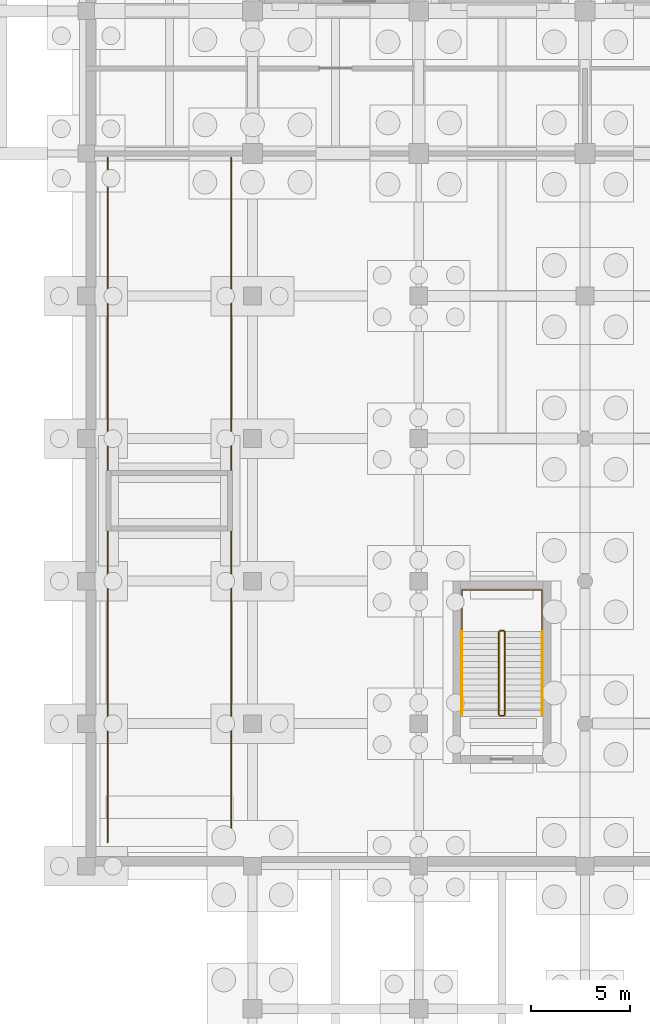
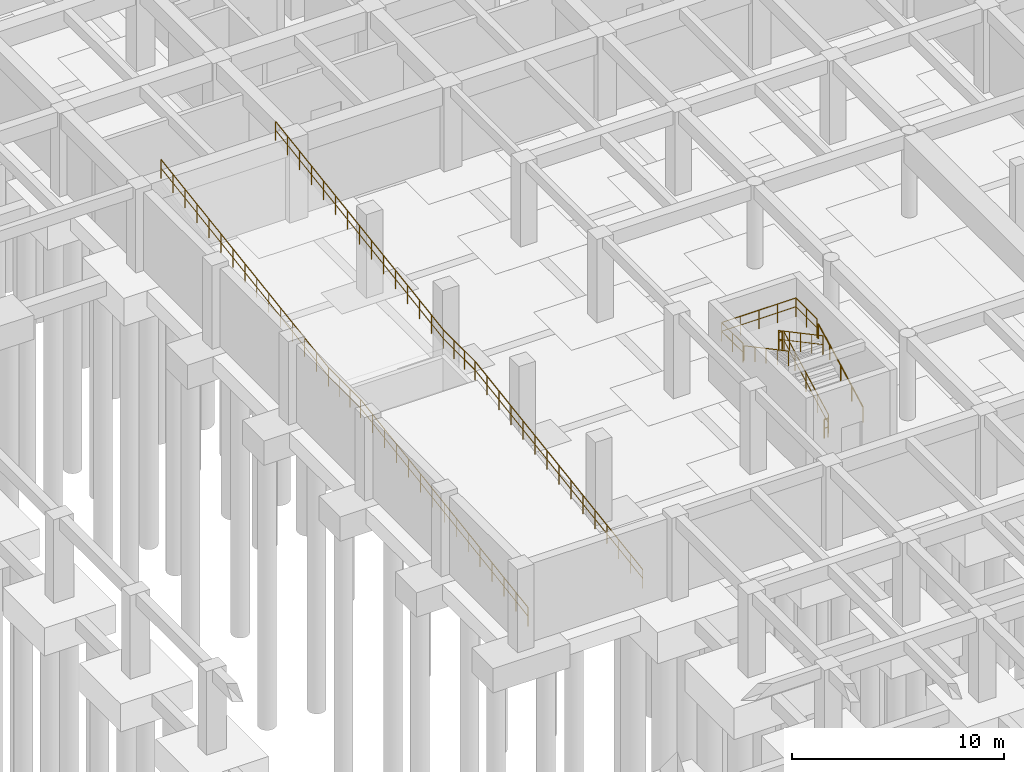
# One storey, part 22 of 26: 9 railings.
"""IFC4 building model written with IfcOpenShell, lengths in metres."""

from ifc_helpers import new_model, si_unit, direction, frame, origin, origin_2d, place, context, subcontext, project, spatial, circle, extrude, material, type_object, element, save


model = new_model("IFC4")

# Units and contexts
model_context = context("Model", 3, precision=1e-05, world=origin(), true_north=direction((0.0, 1.0)))
body_context = subcontext(model_context, "Body", "Model", "MODEL_VIEW")
ifc_project = project(units=[si_unit("LENGTHUNIT", "METRE"), si_unit("AREAUNIT", "SQUARE_METRE"), si_unit("VOLUMEUNIT", "CUBIC_METRE"), si_unit("PLANEANGLEUNIT", "RADIAN"), si_unit("MASSUNIT", "GRAM", prefix="KILO")], contexts=[model_context])

# Site, building, storey
site_placement = place(None, origin())
site = spatial("IfcSite", under=ifc_project, at=site_placement, CompositionType="ELEMENT")
building_placement = place(site_placement, origin())
building = spatial("IfcBuilding", under=site, at=building_placement, Name="Kenerak Square Central Library", CompositionType="ELEMENT")
storey_placement = place(building_placement, frame((0.0, 0.0, -4.800048828125)))
storey = spatial("IfcBuildingStorey", under=building, at=storey_placement, Name="B1", CompositionType="ELEMENT", Elevation=-4.800048828125)

# Railings
ifc_material = material(Name="Steel S355", Category="steel")
railing_type_1 = type_object("IfcRailingType", Name="Safety Guardrail GR-1100 S355", PredefinedType="GUARDRAIL", material=ifc_material)
railing_1_placement = place(storey_placement, frame((71.14990234375, 60.449951171875, 0.16015625)))
element("IfcRailing", 1, at=railing_1_placement, inside=storey, type_object=railing_type_1, Name="B1 ST-08 stair guard 1", PredefinedType="GUARDRAIL", context=body_context, shape_type="SweptSolid", body=[
    extrude(circle(Radius=0.02392578125, at=origin_2d()), frame((0.0, 0.0, 1.076171875), z_axis=(0.0, 0.882351521365, 0.470590897432), x_axis=(-1.0, 0.0, 0.0)), (0.0, 0.0, 1.0), 4.760009765625),
    extrude(circle(Radius=0.01806640625, at=origin_2d()), frame((0.0, 0.0, 0.572021484375), z_axis=(0.0, 0.882351521365, 0.470590897432), x_axis=(-1.0, 0.0, 0.0)), (0.0, 0.0, 1.0), 4.760009765625),
    extrude(circle(Radius=0.02099609375, at=origin_2d()), origin(), (0.0, 0.0, 1.0), 1.052001953125),
    extrude(circle(Radius=0.02099609375, at=origin_2d()), frame((0.0, 1.050048828125, 0.56005859375)), (0.0, 0.0, 1.0), 1.052001953125),
    extrude(circle(Radius=0.02099609375, at=origin_2d()), frame((0.0, 2.10009765625, 1.1201171875)), (0.0, 0.0, 1.0), 1.052001953125),
    extrude(circle(Radius=0.02099609375, at=origin_2d()), frame((0.0, 3.14990234375, 1.679931640625)), (0.0, 0.0, 1.0), 1.052001953125),
    extrude(circle(Radius=0.02099609375, at=origin_2d()), frame((0.0, 4.199951171875, 2.239990234375)), (0.0, 0.0, 1.0), 1.052001953125),
])
railing_2_placement = place(storey_placement, frame((71.10009765625, 64.699951171875, 2.400146484375)))
element("IfcRailing", 2, at=railing_2_placement, inside=storey, type_object=railing_type_1, Name="B1 ST-08 stair guard 2", PredefinedType="GUARDRAIL", context=body_context, shape_type="SweptSolid", body=[
    extrude(circle(Radius=0.02392578125, at=origin_2d()), frame((0.0, 0.0, 1.076171875), z_axis=(-1.0, 0.0, 0.0), x_axis=(0.0, -1.0, 0.0)), (0.0, 0.0, 1.0), 0.2001953125),
    extrude(circle(Radius=0.01806640625, at=origin_2d()), frame((0.0, 0.0, 0.572021484375), z_axis=(-1.0, 0.0, 0.0), x_axis=(0.0, -1.0, 0.0)), (0.0, 0.0, 1.0), 0.2001953125),
    extrude(circle(Radius=0.02099609375, at=origin_2d()), origin(), (0.0, 0.0, 1.0), 1.052001953125),
    extrude(circle(Radius=0.02099609375, at=origin_2d()), frame((-0.2001953125, 0.0, 0.0)), (0.0, 0.0, 1.0), 1.052001953125),
])
railing_3_placement = place(storey_placement, frame((70.85009765625, 64.64990234375, 2.56005859375)))
element("IfcRailing", 3, at=railing_3_placement, inside=storey, type_object=railing_type_1, Name="B1 ST-08 stair guard 3", PredefinedType="GUARDRAIL", context=body_context, shape_type="SweptSolid", body=[
    extrude(circle(Radius=0.02392578125, at=origin_2d()), frame((0.0, 0.0, 1.076171875), z_axis=(0.0, -0.882351521365, 0.470590897432), x_axis=(1.0, 0.0, 0.0)), (0.0, 0.0, 1.0), 4.760009765625),
    extrude(circle(Radius=0.01806640625, at=origin_2d()), frame((0.0, 0.0, 0.572021484375), z_axis=(0.0, -0.882351521365, 0.470590897432), x_axis=(1.0, 0.0, 0.0)), (0.0, 0.0, 1.0), 4.760009765625),
    extrude(circle(Radius=0.02099609375, at=origin_2d()), origin(), (0.0, 0.0, 1.0), 1.052001953125),
    extrude(circle(Radius=0.02099609375, at=origin_2d()), frame((0.0, -1.050048828125, 0.56005859375)), (0.0, 0.0, 1.0), 1.052001953125),
    extrude(circle(Radius=0.02099609375, at=origin_2d()), frame((0.0, -2.10009765625, 1.1201171875)), (0.0, 0.0, 1.0), 1.052001953125),
    extrude(circle(Radius=0.02099609375, at=origin_2d()), frame((0.0, -3.14990234375, 1.679931640625)), (0.0, 0.0, 1.0), 1.052001953125),
    extrude(circle(Radius=0.02099609375, at=origin_2d()), frame((0.0, -4.199951171875, 2.239990234375)), (0.0, 0.0, 1.0), 1.052001953125),
])
railing_4_placement = place(storey_placement, frame((71.10009765625, 60.39990234375, 0.0)))
element("IfcRailing", 4, at=railing_4_placement, inside=storey, type_object=railing_type_1, Name="B1 ST-08 stair guard 4", PredefinedType="GUARDRAIL", context=body_context, shape_type="SweptSolid", body=[
    extrude(circle(Radius=0.02392578125, at=origin_2d()), frame((0.0, 0.0, 1.076171875), z_axis=(-1.0, 0.0, 0.0), x_axis=(0.0, -1.0, 0.0)), (0.0, 0.0, 1.0), 0.2001953125),
    extrude(circle(Radius=0.01806640625, at=origin_2d()), frame((0.0, 0.0, 0.572021484375), z_axis=(-1.0, 0.0, 0.0), x_axis=(0.0, -1.0, 0.0)), (0.0, 0.0, 1.0), 0.2001953125),
    extrude(circle(Radius=0.02099609375, at=origin_2d()), origin(), (0.0, 0.0, 1.0), 1.052001953125),
    extrude(circle(Radius=0.02099609375, at=origin_2d()), frame((-0.2001953125, 0.0, 0.0)), (0.0, 0.0, 1.0), 1.052001953125),
])
railing_5_placement = place(storey_placement, frame((68.97998046875, 64.75, 2.400146484375)))
element("IfcRailing", 5, at=railing_5_placement, inside=storey, type_object=railing_type_1, Name="Stair Half-Landing Guard ST-08 B1", PredefinedType="GUARDRAIL", context=body_context, shape_type="SweptSolid", body=[
    extrude(circle(Radius=0.02392578125, at=origin_2d()), frame((0.0, 0.0, 1.076171875), z_axis=(0.0, 1.0, 0.0), x_axis=(-1.0, 0.0, 0.0)), (0.0, 0.0, 1.0), 2.0),
    extrude(circle(Radius=0.01806640625, at=origin_2d()), frame((0.0, 0.0, 0.572021484375), z_axis=(0.0, 1.0, 0.0), x_axis=(-1.0, 0.0, 0.0)), (0.0, 0.0, 1.0), 2.0),
    extrude(circle(Radius=0.02392578125, at=origin_2d()), frame((0.0, 2.0, 1.076171875), z_axis=(1.0, 0.0, 0.0), x_axis=(0.0, 1.0, 0.0)), (0.0, 0.0, 1.0), 4.0400390625),
    extrude(circle(Radius=0.01806640625, at=origin_2d()), frame((0.0, 2.0, 0.572021484375), z_axis=(1.0, 0.0, 0.0), x_axis=(0.0, 1.0, 0.0)), (0.0, 0.0, 1.0), 4.0400390625),
    extrude(circle(Radius=0.02392578125, at=origin_2d()), frame((4.0400390625, 2.0, 1.076171875), z_axis=(0.0, -1.0, 0.0), x_axis=(1.0, 0.0, 0.0)), (0.0, 0.0, 1.0), 2.0),
    extrude(circle(Radius=0.01806640625, at=origin_2d()), frame((4.0400390625, 2.0, 0.572021484375), z_axis=(0.0, -1.0, 0.0), x_axis=(1.0, 0.0, 0.0)), (0.0, 0.0, 1.0), 2.0),
    extrude(circle(Radius=0.02099609375, at=origin_2d()), origin(), (0.0, 0.0, 1.0), 1.052001953125),
    extrude(circle(Radius=0.02099609375, at=origin_2d()), frame((0.0, 1.0, 0.0)), (0.0, 0.0, 1.0), 1.052001953125),
    extrude(circle(Radius=0.02099609375, at=origin_2d()), frame((0.0, 2.0, 0.0)), (0.0, 0.0, 1.0), 1.052001953125),
    extrude(circle(Radius=0.02099609375, at=origin_2d()), frame((1.010009765625, 2.0, 0.0)), (0.0, 0.0, 1.0), 1.052001953125),
    extrude(circle(Radius=0.02099609375, at=origin_2d()), frame((2.02001953125, 2.0, 0.0)), (0.0, 0.0, 1.0), 1.052001953125),
    extrude(circle(Radius=0.02099609375, at=origin_2d()), frame((3.030029296875, 2.0, 0.0)), (0.0, 0.0, 1.0), 1.052001953125),
    extrude(circle(Radius=0.02099609375, at=origin_2d()), frame((4.0400390625, 2.0, 0.0)), (0.0, 0.0, 1.0), 1.052001953125),
    extrude(circle(Radius=0.02099609375, at=origin_2d()), frame((4.0400390625, 1.0, 0.0)), (0.0, 0.0, 1.0), 1.052001953125),
    extrude(circle(Radius=0.02099609375, at=origin_2d()), frame((4.0400390625, 0.0, 0.0)), (0.0, 0.0, 1.0), 1.052001953125),
])
railing_6_placement = place(storey_placement, frame((51.080078125, 54.0, 0.0)))
element("IfcRailing", 6, at=railing_6_placement, inside=storey, type_object=railing_type_1, Name="Vehicle Ramp Guardrail W", PredefinedType="GUARDRAIL", context=body_context, shape_type="SweptSolid", body=[
    extrude(circle(Radius=0.02392578125, at=origin_2d()), frame((0.0, 0.0, 1.076171875), z_axis=(0.0, 0.9886579727, 0.150184596468), x_axis=(-1.0, 0.0, 0.0)), (0.0, 0.0, 1.0), 15.981201171875),
    extrude(circle(Radius=0.01806640625, at=origin_2d()), frame((0.0, 0.0, 0.572021484375), z_axis=(0.0, 0.9886579727, 0.150184596468), x_axis=(-1.0, 0.0, 0.0)), (0.0, 0.0, 1.0), 15.981201171875),
    extrude(circle(Radius=0.02392578125, at=origin_2d()), frame((0.0, 15.800048828125, 3.47607421875), z_axis=(0.0, 1.0, 0.0), x_axis=(-1.0, 0.0, 0.0)), (0.0, 0.0, 1.0), 3.0),
    extrude(circle(Radius=0.01806640625, at=origin_2d()), frame((0.0, 15.800048828125, 2.97216796875), z_axis=(0.0, 1.0, 0.0), x_axis=(-1.0, 0.0, 0.0)), (0.0, 0.0, 1.0), 3.0),
    extrude(circle(Radius=0.02392578125, at=origin_2d()), frame((0.0, 18.800048828125, 3.47607421875), z_axis=(0.0, 0.988660240886, 0.150169664353), x_axis=(-1.0, 0.0, 0.0)), (0.0, 0.0, 1.0), 15.981201171875),
    extrude(circle(Radius=0.01806640625, at=origin_2d()), frame((0.0, 18.800048828125, 2.97216796875), z_axis=(0.0, 0.988660240886, 0.150169664353), x_axis=(-1.0, 0.0, 0.0)), (0.0, 0.0, 1.0), 15.981201171875),
    extrude(circle(Radius=0.02099609375, at=origin_2d()), origin(), (0.0, 0.0, 1.0), 1.052001953125),
    extrude(circle(Radius=0.02099609375, at=origin_2d()), frame((0.0, 1.128662109375, 0.17138671875)), (0.0, 0.0, 1.0), 1.052001953125),
    extrude(circle(Radius=0.02099609375, at=origin_2d()), frame((0.0, 2.257080078125, 0.3427734375)), (0.0, 0.0, 1.0), 1.052001953125),
    extrude(circle(Radius=0.02099609375, at=origin_2d()), frame((0.0, 3.3857421875, 0.514404296875)), (0.0, 0.0, 1.0), 1.052001953125),
    extrude(circle(Radius=0.02099609375, at=origin_2d()), frame((0.0, 4.514404296875, 0.685791015625)), (0.0, 0.0, 1.0), 1.052001953125),
    extrude(circle(Radius=0.02099609375, at=origin_2d()), frame((0.0, 5.642822265625, 0.857177734375)), (0.0, 0.0, 1.0), 1.052001953125),
    extrude(circle(Radius=0.02099609375, at=origin_2d()), frame((0.0, 6.771484375, 1.028564453125)), (0.0, 0.0, 1.0), 1.052001953125),
    extrude(circle(Radius=0.02099609375, at=origin_2d()), frame((0.0, 7.89990234375, 1.2001953125)), (0.0, 0.0, 1.0), 1.052001953125),
    extrude(circle(Radius=0.02099609375, at=origin_2d()), frame((0.0, 9.028564453125, 1.37158203125)), (0.0, 0.0, 1.0), 1.052001953125),
    extrude(circle(Radius=0.02099609375, at=origin_2d()), frame((0.0, 10.1572265625, 1.54296875)), (0.0, 0.0, 1.0), 1.052001953125),
    extrude(circle(Radius=0.02099609375, at=origin_2d()), frame((0.0, 11.28564453125, 1.71435546875)), (0.0, 0.0, 1.0), 1.052001953125),
    extrude(circle(Radius=0.02099609375, at=origin_2d()), frame((0.0, 12.414306640625, 1.8857421875)), (0.0, 0.0, 1.0), 1.052001953125),
    extrude(circle(Radius=0.02099609375, at=origin_2d()), frame((0.0, 13.54296875, 2.057373046875)), (0.0, 0.0, 1.0), 1.052001953125),
    extrude(circle(Radius=0.02099609375, at=origin_2d()), frame((0.0, 14.67138671875, 2.228759765625)), (0.0, 0.0, 1.0), 1.052001953125),
    extrude(circle(Radius=0.02099609375, at=origin_2d()), frame((0.0, 15.800048828125, 2.400146484375)), (0.0, 0.0, 1.0), 1.052001953125),
    extrude(circle(Radius=0.02099609375, at=origin_2d()), frame((0.0, 16.800048828125, 2.400146484375)), (0.0, 0.0, 1.0), 1.052001953125),
    extrude(circle(Radius=0.02099609375, at=origin_2d()), frame((0.0, 17.800048828125, 2.400146484375)), (0.0, 0.0, 1.0), 1.052001953125),
    extrude(circle(Radius=0.02099609375, at=origin_2d()), frame((0.0, 18.800048828125, 2.400146484375)), (0.0, 0.0, 1.0), 1.052001953125),
    extrude(circle(Radius=0.02099609375, at=origin_2d()), frame((0.0, 19.9287109375, 2.571533203125)), (0.0, 0.0, 1.0), 1.052001953125),
    extrude(circle(Radius=0.02099609375, at=origin_2d()), frame((0.0, 21.05712890625, 2.742919921875)), (0.0, 0.0, 1.0), 1.052001953125),
    extrude(circle(Radius=0.02099609375, at=origin_2d()), frame((0.0, 22.185791015625, 2.914306640625)), (0.0, 0.0, 1.0), 1.052001953125),
    extrude(circle(Radius=0.02099609375, at=origin_2d()), frame((0.0, 23.314453125, 3.0859375)), (0.0, 0.0, 1.0), 1.052001953125),
    extrude(circle(Radius=0.02099609375, at=origin_2d()), frame((0.0, 24.44287109375, 3.25732421875)), (0.0, 0.0, 1.0), 1.052001953125),
    extrude(circle(Radius=0.02099609375, at=origin_2d()), frame((0.0, 25.571533203125, 3.4287109375)), (0.0, 0.0, 1.0), 1.052001953125),
    extrude(circle(Radius=0.02099609375, at=origin_2d()), frame((0.0, 26.7001953125, 3.60009765625)), (0.0, 0.0, 1.0), 1.052001953125),
    extrude(circle(Radius=0.02099609375, at=origin_2d()), frame((0.0, 27.82861328125, 3.771484375)), (0.0, 0.0, 1.0), 1.052001953125),
    extrude(circle(Radius=0.02099609375, at=origin_2d()), frame((0.0, 28.957275390625, 3.94287109375)), (0.0, 0.0, 1.0), 1.052001953125),
    extrude(circle(Radius=0.02099609375, at=origin_2d()), frame((0.0, 30.085693359375, 4.1142578125)), (0.0, 0.0, 1.0), 1.052001953125),
    extrude(circle(Radius=0.02099609375, at=origin_2d()), frame((0.0, 31.21435546875, 4.285888671875)), (0.0, 0.0, 1.0), 1.052001953125),
    extrude(circle(Radius=0.02099609375, at=origin_2d()), frame((0.0, 32.343017578125, 4.457275390625)), (0.0, 0.0, 1.0), 1.052001953125),
    extrude(circle(Radius=0.02099609375, at=origin_2d()), frame((0.0, 33.471435546875, 4.628662109375)), (0.0, 0.0, 1.0), 1.052001953125),
    extrude(circle(Radius=0.02099609375, at=origin_2d()), frame((0.0, 34.60009765625, 4.800048828125)), (0.0, 0.0, 1.0), 1.052001953125),
])
railing_7_placement = place(storey_placement, frame((57.320068359375, 54.0, 0.0)))
element("IfcRailing", 7, at=railing_7_placement, inside=storey, type_object=railing_type_1, Name="Vehicle Ramp Guardrail E", PredefinedType="GUARDRAIL", context=body_context, shape_type="SweptSolid", body=[
    extrude(circle(Radius=0.02392578125, at=origin_2d()), frame((0.0, 0.0, 1.076171875), z_axis=(0.0, 0.9886579727, 0.150184596468), x_axis=(-1.0, 0.0, 0.0)), (0.0, 0.0, 1.0), 15.981201171875),
    extrude(circle(Radius=0.01806640625, at=origin_2d()), frame((0.0, 0.0, 0.572021484375), z_axis=(0.0, 0.9886579727, 0.150184596468), x_axis=(-1.0, 0.0, 0.0)), (0.0, 0.0, 1.0), 15.981201171875),
    extrude(circle(Radius=0.02392578125, at=origin_2d()), frame((0.0, 15.800048828125, 3.47607421875), z_axis=(0.0, 1.0, 0.0), x_axis=(-1.0, 0.0, 0.0)), (0.0, 0.0, 1.0), 3.0),
    extrude(circle(Radius=0.01806640625, at=origin_2d()), frame((0.0, 15.800048828125, 2.97216796875), z_axis=(0.0, 1.0, 0.0), x_axis=(-1.0, 0.0, 0.0)), (0.0, 0.0, 1.0), 3.0),
    extrude(circle(Radius=0.02392578125, at=origin_2d()), frame((0.0, 18.800048828125, 3.47607421875), z_axis=(0.0, 0.988660240886, 0.150169664353), x_axis=(-1.0, 0.0, 0.0)), (0.0, 0.0, 1.0), 15.981201171875),
    extrude(circle(Radius=0.01806640625, at=origin_2d()), frame((0.0, 18.800048828125, 2.97216796875), z_axis=(0.0, 0.988660240886, 0.150169664353), x_axis=(-1.0, 0.0, 0.0)), (0.0, 0.0, 1.0), 15.981201171875),
    extrude(circle(Radius=0.02099609375, at=origin_2d()), origin(), (0.0, 0.0, 1.0), 1.052001953125),
    extrude(circle(Radius=0.02099609375, at=origin_2d()), frame((0.0, 1.128662109375, 0.17138671875)), (0.0, 0.0, 1.0), 1.052001953125),
    extrude(circle(Radius=0.02099609375, at=origin_2d()), frame((0.0, 2.257080078125, 0.3427734375)), (0.0, 0.0, 1.0), 1.052001953125),
    extrude(circle(Radius=0.02099609375, at=origin_2d()), frame((0.0, 3.3857421875, 0.514404296875)), (0.0, 0.0, 1.0), 1.052001953125),
    extrude(circle(Radius=0.02099609375, at=origin_2d()), frame((0.0, 4.514404296875, 0.685791015625)), (0.0, 0.0, 1.0), 1.052001953125),
    extrude(circle(Radius=0.02099609375, at=origin_2d()), frame((0.0, 5.642822265625, 0.857177734375)), (0.0, 0.0, 1.0), 1.052001953125),
    extrude(circle(Radius=0.02099609375, at=origin_2d()), frame((0.0, 6.771484375, 1.028564453125)), (0.0, 0.0, 1.0), 1.052001953125),
    extrude(circle(Radius=0.02099609375, at=origin_2d()), frame((0.0, 7.89990234375, 1.2001953125)), (0.0, 0.0, 1.0), 1.052001953125),
    extrude(circle(Radius=0.02099609375, at=origin_2d()), frame((0.0, 9.028564453125, 1.37158203125)), (0.0, 0.0, 1.0), 1.052001953125),
    extrude(circle(Radius=0.02099609375, at=origin_2d()), frame((0.0, 10.1572265625, 1.54296875)), (0.0, 0.0, 1.0), 1.052001953125),
    extrude(circle(Radius=0.02099609375, at=origin_2d()), frame((0.0, 11.28564453125, 1.71435546875)), (0.0, 0.0, 1.0), 1.052001953125),
    extrude(circle(Radius=0.02099609375, at=origin_2d()), frame((0.0, 12.414306640625, 1.8857421875)), (0.0, 0.0, 1.0), 1.052001953125),
    extrude(circle(Radius=0.02099609375, at=origin_2d()), frame((0.0, 13.54296875, 2.057373046875)), (0.0, 0.0, 1.0), 1.052001953125),
    extrude(circle(Radius=0.02099609375, at=origin_2d()), frame((0.0, 14.67138671875, 2.228759765625)), (0.0, 0.0, 1.0), 1.052001953125),
    extrude(circle(Radius=0.02099609375, at=origin_2d()), frame((0.0, 15.800048828125, 2.400146484375)), (0.0, 0.0, 1.0), 1.052001953125),
    extrude(circle(Radius=0.02099609375, at=origin_2d()), frame((0.0, 16.800048828125, 2.400146484375)), (0.0, 0.0, 1.0), 1.052001953125),
    extrude(circle(Radius=0.02099609375, at=origin_2d()), frame((0.0, 17.800048828125, 2.400146484375)), (0.0, 0.0, 1.0), 1.052001953125),
    extrude(circle(Radius=0.02099609375, at=origin_2d()), frame((0.0, 18.800048828125, 2.400146484375)), (0.0, 0.0, 1.0), 1.052001953125),
    extrude(circle(Radius=0.02099609375, at=origin_2d()), frame((0.0, 19.9287109375, 2.571533203125)), (0.0, 0.0, 1.0), 1.052001953125),
    extrude(circle(Radius=0.02099609375, at=origin_2d()), frame((0.0, 21.05712890625, 2.742919921875)), (0.0, 0.0, 1.0), 1.052001953125),
    extrude(circle(Radius=0.02099609375, at=origin_2d()), frame((0.0, 22.185791015625, 2.914306640625)), (0.0, 0.0, 1.0), 1.052001953125),
    extrude(circle(Radius=0.02099609375, at=origin_2d()), frame((0.0, 23.314453125, 3.0859375)), (0.0, 0.0, 1.0), 1.052001953125),
    extrude(circle(Radius=0.02099609375, at=origin_2d()), frame((0.0, 24.44287109375, 3.25732421875)), (0.0, 0.0, 1.0), 1.052001953125),
    extrude(circle(Radius=0.02099609375, at=origin_2d()), frame((0.0, 25.571533203125, 3.4287109375)), (0.0, 0.0, 1.0), 1.052001953125),
    extrude(circle(Radius=0.02099609375, at=origin_2d()), frame((0.0, 26.7001953125, 3.60009765625)), (0.0, 0.0, 1.0), 1.052001953125),
    extrude(circle(Radius=0.02099609375, at=origin_2d()), frame((0.0, 27.82861328125, 3.771484375)), (0.0, 0.0, 1.0), 1.052001953125),
    extrude(circle(Radius=0.02099609375, at=origin_2d()), frame((0.0, 28.957275390625, 3.94287109375)), (0.0, 0.0, 1.0), 1.052001953125),
    extrude(circle(Radius=0.02099609375, at=origin_2d()), frame((0.0, 30.085693359375, 4.1142578125)), (0.0, 0.0, 1.0), 1.052001953125),
    extrude(circle(Radius=0.02099609375, at=origin_2d()), frame((0.0, 31.21435546875, 4.285888671875)), (0.0, 0.0, 1.0), 1.052001953125),
    extrude(circle(Radius=0.02099609375, at=origin_2d()), frame((0.0, 32.343017578125, 4.457275390625)), (0.0, 0.0, 1.0), 1.052001953125),
    extrude(circle(Radius=0.02099609375, at=origin_2d()), frame((0.0, 33.471435546875, 4.628662109375)), (0.0, 0.0, 1.0), 1.052001953125),
    extrude(circle(Radius=0.02099609375, at=origin_2d()), frame((0.0, 34.60009765625, 4.800048828125)), (0.0, 0.0, 1.0), 1.052001953125),
])
railing_type_2 = type_object("IfcRailingType", Name="Stair Handrail HR-880 S355", PredefinedType="HANDRAIL", material=ifc_material)
railing_8_placement = place(storey_placement, frame((73.030029296875, 60.449951171875, 0.16015625)))
element("IfcRailing", 8, at=railing_8_placement, inside=storey, type_object=railing_type_2, Name="B1 ST-08 stair handrail 1", PredefinedType="HANDRAIL", context=body_context, shape_type="SweptSolid", body=[
    extrude(circle(Radius=0.02392578125, at=origin_2d()), frame((0.0, 0.0, 0.85595703125), z_axis=(0.0, 0.882351521365, 0.470590897432), x_axis=(-1.0, 0.0, 0.0)), (0.0, 0.0, 1.0), 4.760009765625),
    extrude(circle(Radius=0.02099609375, at=origin_2d()), origin(), (0.0, 0.0, 1.0), 0.831787109375),
    extrude(circle(Radius=0.02099609375, at=origin_2d()), frame((0.0, 1.050048828125, 0.56005859375)), (0.0, 0.0, 1.0), 0.831787109375),
    extrude(circle(Radius=0.02099609375, at=origin_2d()), frame((0.0, 2.10009765625, 1.1201171875)), (0.0, 0.0, 1.0), 0.831787109375),
    extrude(circle(Radius=0.02099609375, at=origin_2d()), frame((0.0, 3.14990234375, 1.679931640625)), (0.0, 0.0, 1.0), 0.831787109375),
    extrude(circle(Radius=0.02099609375, at=origin_2d()), frame((0.0, 4.199951171875, 2.239990234375)), (0.0, 0.0, 1.0), 0.831787109375),
])
railing_9_placement = place(storey_placement, frame((68.969970703125, 64.64990234375, 2.56005859375)))
element("IfcRailing", 9, at=railing_9_placement, inside=storey, type_object=railing_type_2, Name="B1 ST-08 stair handrail 2", PredefinedType="HANDRAIL", context=body_context, shape_type="SweptSolid", body=[
    extrude(circle(Radius=0.02392578125, at=origin_2d()), frame((0.0, 0.0, 0.85595703125), z_axis=(0.0, -0.882351521365, 0.470590897432), x_axis=(1.0, 0.0, 0.0)), (0.0, 0.0, 1.0), 4.760009765625),
    extrude(circle(Radius=0.02099609375, at=origin_2d()), origin(), (0.0, 0.0, 1.0), 0.831787109375),
    extrude(circle(Radius=0.02099609375, at=origin_2d()), frame((0.0, -1.050048828125, 0.56005859375)), (0.0, 0.0, 1.0), 0.831787109375),
    extrude(circle(Radius=0.02099609375, at=origin_2d()), frame((0.0, -2.10009765625, 1.1201171875)), (0.0, 0.0, 1.0), 0.831787109375),
    extrude(circle(Radius=0.02099609375, at=origin_2d()), frame((0.0, -3.14990234375, 1.679931640625)), (0.0, 0.0, 1.0), 0.831787109375),
    extrude(circle(Radius=0.02099609375, at=origin_2d()), frame((0.0, -4.199951171875, 2.239990234375)), (0.0, 0.0, 1.0), 0.831787109375),
])

save(model, "model.ifc")
